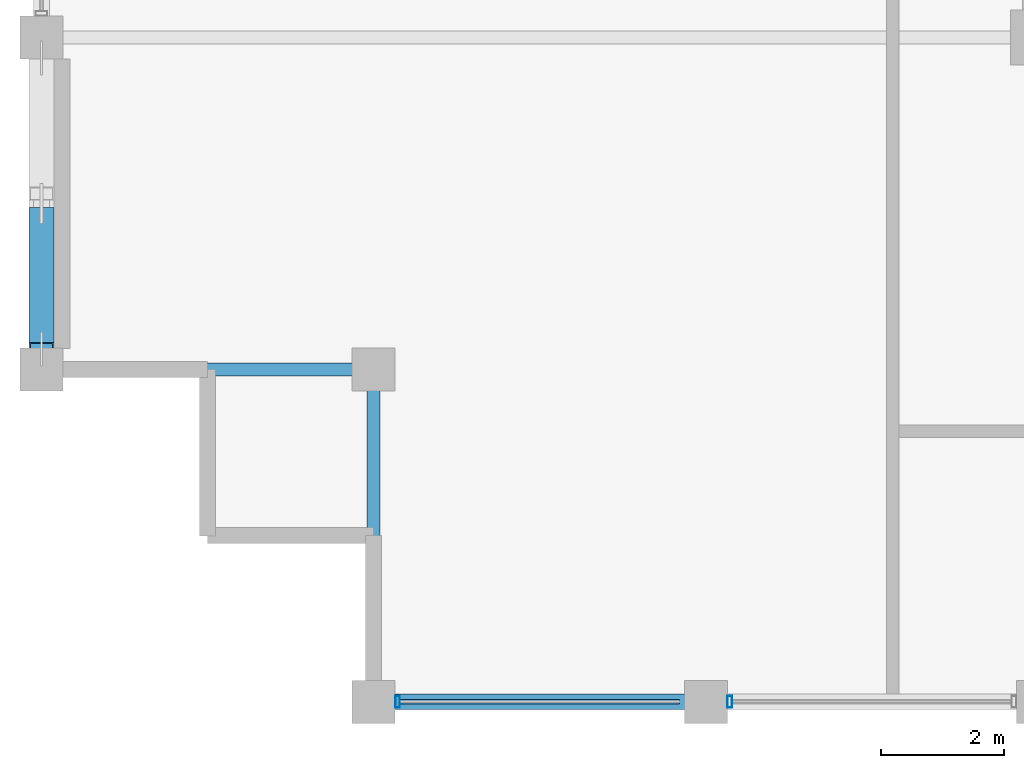
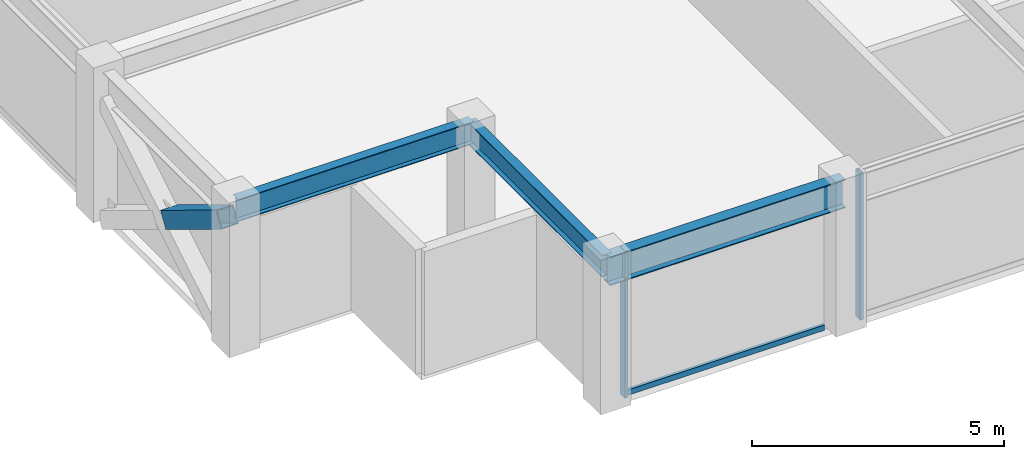
# One storey, part 2 of 30: 4 members, 3 beams, 1 element without a shape of its own.
"""IFC4 building model written with IfcOpenShell, lengths in metres."""

from ifc_helpers import new_model, si_unit, direction, frame, origin, origin_2d, place, context, subcontext, project, spatial, hollow_rectangle, i_section, extrude, material, layer, layer_set, material_profile, profile_set, type_object, element, aggregate, save


model = new_model("IFC4")

# Units and contexts
model_context = context("Model", 3, precision=1e-05, world=origin(), true_north=direction((0.0, 1.0)))
body_context = subcontext(model_context, "Body", "Model", "MODEL_VIEW")
ifc_project = project(units=[si_unit("LENGTHUNIT", "METRE"), si_unit("AREAUNIT", "SQUARE_METRE"), si_unit("VOLUMEUNIT", "CUBIC_METRE"), si_unit("PLANEANGLEUNIT", "RADIAN"), si_unit("MASSUNIT", "GRAM", prefix="KILO")], contexts=[model_context])

# Site, building, storey
site_placement = place(None, origin())
site = spatial("IfcSite", under=ifc_project, at=site_placement, CompositionType="ELEMENT")
building_placement = place(site_placement, origin())
building = spatial("IfcBuilding", under=site, at=building_placement, Name="Surkhivell Harbour Commons", CompositionType="ELEMENT")
storey_placement = place(building_placement, frame((0.0, 0.0, 300.0)))
storey = spatial("IfcBuildingStorey", under=building, at=storey_placement, Name="L78", CompositionType="ELEMENT", Elevation=300.0)

# Beams
ifc_material_1 = material(Name="Steel S355", Category="steel")
ifc_material_profile_1 = material_profile(ifc_material_1, i_section(OverallWidth=0.2099609375, OverallDepth=0.537109375, WebThickness=0.0107421875, FlangeThickness=0.017333984375, at=origin_2d()), Name="UB533x210x101")
ifc_profile_set_1 = profile_set([ifc_material_profile_1], Name="Steel S355")
beam_type_1 = type_object("IfcBeamType", Name="BM-GRD-533B", PredefinedType="BEAM", material=ifc_profile_set_1)
beam_1_placement = place(storey_placement, frame((-27.0, -16.199951171875, 3.301513671875), z_axis=(1.0, 0.0, 0.0), x_axis=(0.0, 1.0, 0.0)))
element("IfcBeam", 1, at=beam_1_placement, inside=storey, type_object=beam_type_1, Name="L78 Floor Girder (-27.0,-16.2)", PredefinedType="BEAM", context=body_context, shape_type="SweptSolid", body=[
    extrude(i_section(OverallWidth=0.2099609375, OverallDepth=0.537109375, WebThickness=0.0107421875, FlangeThickness=0.017333984375, at=origin_2d()), origin(), (0.0, 0.0, 1.0), 5.39990234375),
])
beam_2_placement = place(storey_placement, frame((-21.60009765625, -21.60009765625, 3.301513671875), z_axis=(0.0, 1.0, 0.0), x_axis=(-1.0, 0.0, 0.0)))
element("IfcBeam", 2, at=beam_2_placement, inside=storey, type_object=beam_type_1, Name="L78 Floor Girder (-21.6,-21.6)", PredefinedType="BEAM", context=body_context, shape_type="SweptSolid", body=[
    extrude(i_section(OverallWidth=0.2099609375, OverallDepth=0.537109375, WebThickness=0.0107421875, FlangeThickness=0.017333984375, at=origin_2d()), origin(), (0.0, 0.0, 1.0), 5.400146484375),
])
ifc_material_profile_2 = material_profile(ifc_material_1, i_section(OverallWidth=0.256103515625, OverallDepth=0.693115234375, WebThickness=0.014404296875, FlangeThickness=0.023681640625, at=origin_2d()), Name="UB686x254x170")
ifc_profile_set_2 = profile_set([ifc_material_profile_2], Name="Steel S355")
beam_type_2 = type_object("IfcBeamType", Name="BM-SPN-686", PredefinedType="SPANDREL", material=ifc_profile_set_2)
beam_3_placement = place(storey_placement, frame((-21.60009765625, -21.60009765625, 3.223388671875), z_axis=(1.0, 0.0, 0.0), x_axis=(0.0, 1.0, 0.0)))
element("IfcBeam", 3, at=beam_3_placement, inside=storey, type_object=beam_type_2, Name="L78 Tube Spandrel (-21.6,-21.6)", PredefinedType="SPANDREL", context=body_context, shape_type="SweptSolid", body=[
    extrude(i_section(OverallWidth=0.256103515625, OverallDepth=0.693115234375, WebThickness=0.014404296875, FlangeThickness=0.023681640625, at=origin_2d()), origin(), (0.0, 0.0, 1.0), 5.400146484375),
])

# Curtain wall, members
ifc_material_2 = material(Name="Anodised pale-metal aluminium and insulated glazing", Category="aluminium")
ifc_layer = layer(ifc_material_2, 0.175048828125)
ifc_layer_set = layer_set([ifc_layer], Name="Anodised pale-metal aluminium and insulated glazing")
curtain_wall_type = type_object("IfcCurtainWallType", Name="CW-SYS-Z4", PredefinedType="NOTDEFINED", material=ifc_layer_set)
curtain_wall_placement = place(storey_placement, origin())
curtain_wall = element("IfcCurtainWall", 4, at=curtain_wall_placement, inside=storey, type_object=curtain_wall_type, Name="L78 Curtain Wall CW-L78-E00S1", PredefinedType="NOTDEFINED")
ifc_material_3 = material(Name="Anodised pale-metal aluminium alloy 6063-T6", Category="aluminium")
ifc_material_profile_3 = material_profile(ifc_material_3, hollow_rectangle(XDim=0.074951171875, YDim=0.18994140625, WallThickness=0.00390625, at=origin_2d()), Name="ALU-MULL-75x190")
ifc_profile_set_3 = profile_set([ifc_material_profile_3], Name="Anodised pale-metal aluminium alloy 6063-T6")
member_type_1 = type_object("IfcMemberType", Name="CWM-190", PredefinedType="MULLION", material=ifc_profile_set_3)
member_1_placement = place(storey_placement, frame((-21.21044921875, -21.60009765625, 0.0), z_axis=(0.0, 0.0, 1.0), x_axis=(1.0, 0.0, 0.0)))
member_1 = element("IfcMember", 5, at=member_1_placement, type_object=member_type_1, Name="CW-Z4 mullion 1", PredefinedType="MULLION", context=body_context, shape_type="SweptSolid", body=[
    extrude(hollow_rectangle(XDim=0.074951171875, YDim=0.18994140625, WallThickness=0.00390625, at=origin_2d()), origin(), (0.0, 0.0, 1.0), 3.570068359375),
])
member_2_placement = place(storey_placement, frame((-15.810546875, -21.60009765625, 0.0), z_axis=(0.0, 0.0, 1.0), x_axis=(1.0, 0.0, 0.0)))
member_2 = element("IfcMember", 6, at=member_2_placement, type_object=member_type_1, Name="CW-Z4 mullion 2", PredefinedType="MULLION", context=body_context, shape_type="SweptSolid", body=[
    extrude(hollow_rectangle(XDim=0.074951171875, YDim=0.18994140625, WallThickness=0.00390625, at=origin_2d()), origin(), (0.0, 0.0, 1.0), 3.570068359375),
])
ifc_material_4 = material(Name="Champagne anodised aluminium alloy 6063-T6", Category="aluminium")
ifc_material_profile_4 = material_profile(ifc_material_4, hollow_rectangle(XDim=0.070068359375, YDim=0.1298828125, WallThickness=0.00341796875, at=origin_2d()), Name="ALU-TRAN-70x130")
ifc_profile_set_4 = profile_set([ifc_material_profile_4], Name="Champagne anodised aluminium alloy 6063-T6")
member_type_2 = type_object("IfcMemberType", Name="CWT-130", PredefinedType="USERDEFINED", material=ifc_profile_set_4)
member_3_placement = place(storey_placement, frame((-21.173095703125, -21.60009765625, 0.06494140625), z_axis=(1.0, 0.0, 0.0), x_axis=(0.0, 1.0, 0.0)))
member_3 = element("IfcMember", 7, at=member_3_placement, type_object=member_type_2, Name="CW-Z4 transom 1.1", ObjectType="TRANSOM", PredefinedType="USERDEFINED", context=body_context, shape_type="SweptSolid", body=[
    extrude(hollow_rectangle(XDim=0.070068359375, YDim=0.1298828125, WallThickness=0.00341796875, at=origin_2d()), origin(), (0.0, 0.0, 1.0), 4.546142578125),
])
aggregate(curtain_wall, [member_1, member_3, member_2])

# Member
ifc_material_5 = material(Name="Steel S460", Category="steel")
ifc_material_profile_5 = material_profile(ifc_material_5, hollow_rectangle(XDim=0.39990234375, YDim=0.39990234375, WallThickness=0.02001953125, at=origin_2d()), Name="SHS400x400x20")
ifc_profile_set_5 = profile_set([ifc_material_profile_5], Name="Steel S460")
member_type_3 = type_object("IfcMemberType", Name="MEM-BRC-SHS400", PredefinedType="BRACE", material=ifc_profile_set_5)
member_4_placement = place(storey_placement, frame((-27.0, -13.6640625, 1.544189453125), z_axis=(0.0, -0.854677846108, 0.519158722716), x_axis=(1.0, 0.0, 0.0)))
element("IfcMember", 8, at=member_4_placement, inside=storey, type_object=member_type_3, Name="L78 Perimeter Mega-Brace MB- 12", PredefinedType="BRACE", context=body_context, shape_type="SweptSolid", body=[
    extrude(hollow_rectangle(XDim=0.39990234375, YDim=0.39990234375, WallThickness=0.02001953125, at=origin_2d()), origin(), (0.0, 0.0, 1.0), 2.5751953125),
])

save(model, "model.ifc")
